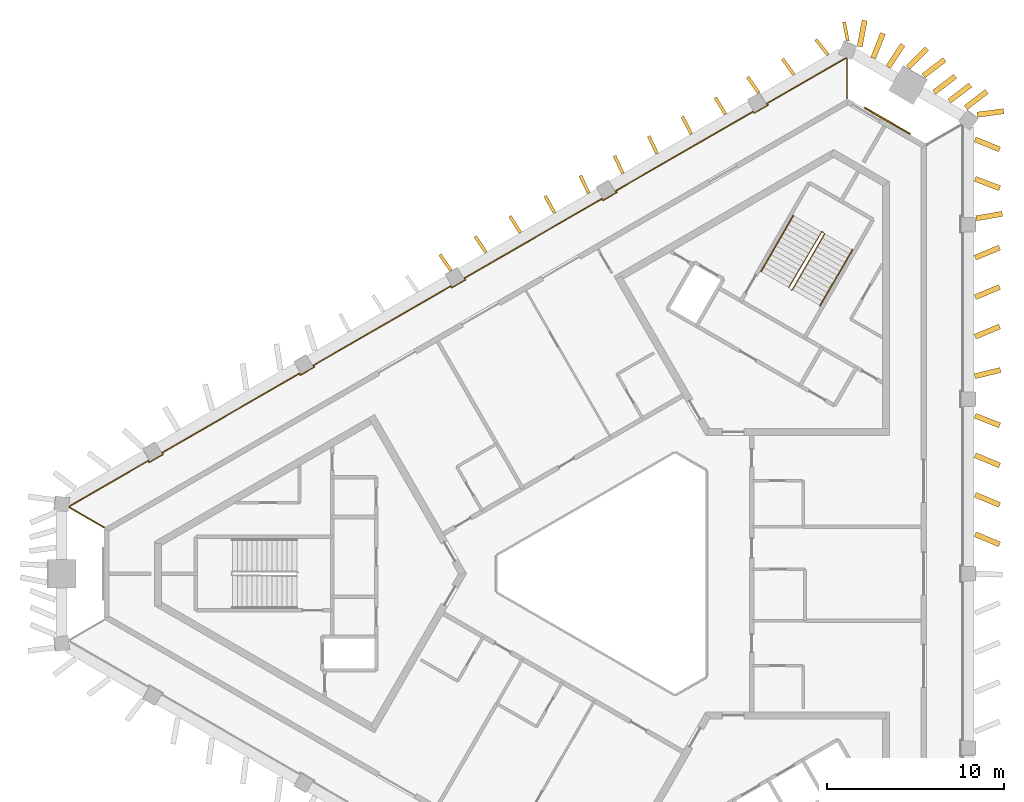
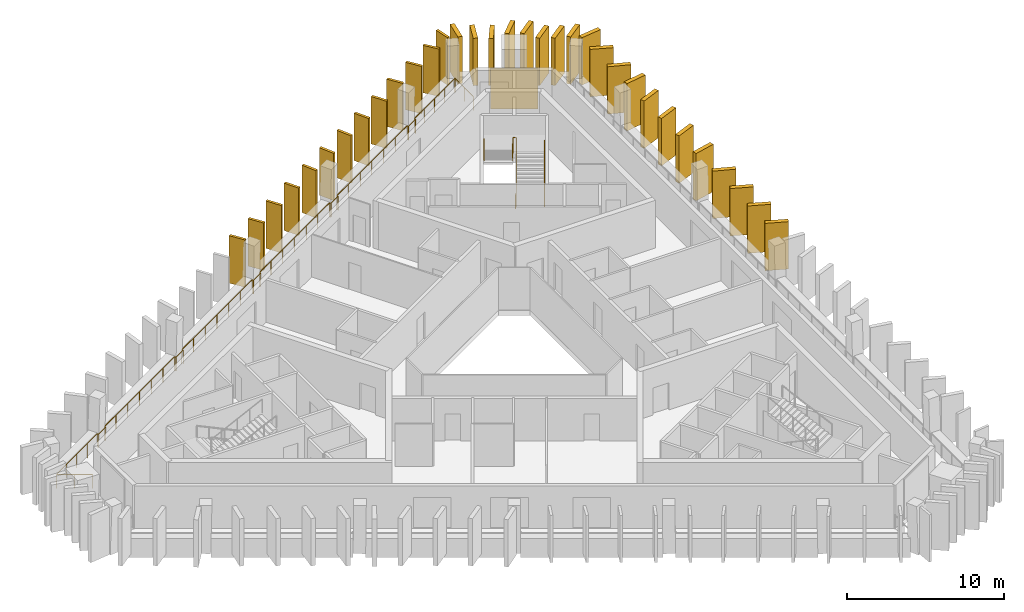
# One storey, part 9 of 9: 33 shading devices, 4 railings, 1 covering.
"""IFC4 building model written with IfcOpenShell, lengths in metres."""

from ifc_helpers import new_model, si_unit, direction, frame, frame_2d, origin, origin_2d, place, context, subcontext, project, spatial, rectangle, circle, extrude, material, layer, layer_set, type_object, element, save


model = new_model("IFC4")

# Units and contexts
model_context = context("Model", 3, precision=1e-05, world=origin(), true_north=direction((0.0, 1.0)))
body_context = subcontext(model_context, "Body", "Model", "MODEL_VIEW")
ifc_project = project(units=[si_unit("LENGTHUNIT", "METRE"), si_unit("AREAUNIT", "SQUARE_METRE"), si_unit("VOLUMEUNIT", "CUBIC_METRE"), si_unit("PLANEANGLEUNIT", "RADIAN"), si_unit("MASSUNIT", "GRAM", prefix="KILO")], contexts=[model_context])

# Site, building, storey
site_placement = place(None, origin())
site = spatial("IfcSite", under=ifc_project, at=site_placement, CompositionType="ELEMENT")
building_placement = place(site_placement, origin())
building = spatial("IfcBuilding", under=site, at=building_placement, Name="Jabali Bay Hotel Tower and Convention Centre", CompositionType="ELEMENT")
storey_placement = place(building_placement, frame((0.0, 0.0, 262.699951171875)))
storey = spatial("IfcBuildingStorey", under=building, at=storey_placement, Name="L64", CompositionType="ELEMENT", Elevation=262.699951171875)

# Railing
ifc_material_1 = material(Name="Glass", Category="glass")
railing_type_1 = type_object("IfcRailingType", Name="Loggia glass guard 1100", PredefinedType="BALUSTRADE", material=ifc_material_1)
railing_1_placement = place(storey_placement, frame((45.5263671875, 82.61572265625, 0.0)))
element("IfcRailing", 1, at=railing_1_placement, inside=storey, type_object=railing_type_1, Name="Loggia glass guard L64", PredefinedType="BALUSTRADE", context=body_context, shape_type="SweptSolid", body=[
    extrude(circle(Radius=0.02490234375, at=origin_2d()), frame((0.0, 0.0, 1.0751953125), z_axis=(-0.866035472144, 0.499982560684, 0.0), x_axis=(-0.495705140567, -0.858626418625, 0.13052619222)), (0.0, 0.0, 1.0), 2.27490234375),
    extrude(circle(Radius=0.02490234375, at=origin_2d()), frame((-1.97021484375, 1.137451171875, 1.0751953125), z_axis=(0.124034734589, 0.992277876714, 0.0), x_axis=(-0.983788801923, 0.12297360024, 0.13052619222)), (0.0, 0.0, 1.0), 0.037353515625),
    extrude(circle(Radius=0.02490234375, at=origin_2d()), frame((-1.965576171875, 1.174560546875, 1.0751953125), z_axis=(0.866041551011, 0.499972031141, 0.0), x_axis=(-0.495694701105, 0.858632445486, 0.13052619222)), (0.0, 0.0, 1.0), 5.165283203125),
    extrude(circle(Radius=0.02490234375, at=origin_2d()), frame((2.5078125, 3.757080078125, 1.0751953125), z_axis=(0.499298623879, -0.866429964967, 0.0), x_axis=(0.859017536507, 0.495027054936, 0.13052619222)), (0.0, 0.0, 1.0), 0.099853515625),
    extrude(circle(Radius=0.02490234375, at=origin_2d()), frame((2.5576171875, 3.670654296875, 1.0751953125), z_axis=(0.866081705922, 0.499902469156, 0.0), x_axis=(-0.495625734232, 0.858672256866, 0.13052619222)), (0.0, 0.0, 1.0), 0.900146484375),
    extrude(circle(Radius=0.02490234375, at=origin_2d()), frame((3.337158203125, 4.12060546875, 1.0751953125), z_axis=(-0.501132629342, 0.865370491644, 0.0), x_axis=(-0.857967127125, -0.496845370228, 0.13052619222)), (0.0, 0.0, 1.0), 0.099853515625),
    extrude(circle(Radius=0.02490234375, at=origin_2d()), frame((3.287109375, 4.20703125, 1.0751953125), z_axis=(0.866025838688, 0.499999246724, 0.0), x_axis=(-0.495721683856, 0.858616867584, 0.13052619222)), (0.0, 0.0, 1.0), 8.95849609375),
    extrude(circle(Radius=0.02490234375, at=origin_2d()), frame((11.04541015625, 8.686279296875, 1.0751953125), z_axis=(0.4982416694, -0.867038199201, 0.0), x_axis=(0.859620567213, 0.493979142849, 0.13052619222)), (0.0, 0.0, 1.0), 0.099853515625),
    extrude(circle(Radius=0.02490234375, at=origin_2d()), frame((11.09521484375, 8.599609375, 1.0751953125), z_axis=(0.865964261186, 0.500105887137, 0.0), x_axis=(-0.495827411944, 0.858555816886, 0.13052619222)), (0.0, 0.0, 1.0), 0.900146484375),
    extrude(circle(Radius=0.02490234375, at=origin_2d()), frame((11.874755859375, 9.0498046875, 1.0751953125), z_axis=(-0.501132629342, 0.865370491644, 0.0), x_axis=(-0.857967127125, -0.496845370228, 0.13052619222)), (0.0, 0.0, 1.0), 0.099853515625),
    extrude(circle(Radius=0.02490234375, at=origin_2d()), frame((11.82470703125, 9.13623046875, 1.0751953125), z_axis=(0.866025838688, 0.499999246724, 0.0), x_axis=(-0.495721683856, 0.858616867584, 0.13052619222)), (0.0, 0.0, 1.0), 8.95849609375),
    extrude(circle(Radius=0.02490234375, at=origin_2d()), frame((19.5830078125, 13.615478515625, 1.0751953125), z_axis=(0.4982416694, -0.867038199201, 0.0), x_axis=(0.859620567213, 0.493979142849, 0.13052619222)), (0.0, 0.0, 1.0), 0.099853515625),
    extrude(circle(Radius=0.02490234375, at=origin_2d()), frame((19.6328125, 13.52880859375, 1.0751953125), z_axis=(0.865964261186, 0.500105887137, 0.0), x_axis=(-0.495827411944, 0.858555816886, 0.13052619222)), (0.0, 0.0, 1.0), 0.900146484375),
    extrude(circle(Radius=0.02490234375, at=origin_2d()), frame((20.412353515625, 13.97900390625, 1.0751953125), z_axis=(-0.501132629342, 0.865370491644, 0.0), x_axis=(-0.857967127125, -0.496845370228, 0.13052619222)), (0.0, 0.0, 1.0), 0.099853515625),
    extrude(circle(Radius=0.02490234375, at=origin_2d()), frame((20.3623046875, 14.0654296875, 1.0751953125), z_axis=(0.866025838688, 0.499999246724, 0.0), x_axis=(-0.495721683856, 0.858616867584, 0.13052619222)), (0.0, 0.0, 1.0), 8.95849609375),
    extrude(circle(Radius=0.02490234375, at=origin_2d()), frame((28.12060546875, 18.544677734375, 1.0751953125), z_axis=(0.4982416694, -0.867038199201, 0.0), x_axis=(0.859620567213, 0.493979142849, 0.13052619222)), (0.0, 0.0, 1.0), 0.099853515625),
    extrude(circle(Radius=0.02490234375, at=origin_2d()), frame((28.17041015625, 18.4580078125, 1.0751953125), z_axis=(0.865964261186, 0.500105887137, 0.0), x_axis=(-0.495827411944, 0.858555816886, 0.13052619222)), (0.0, 0.0, 1.0), 0.900146484375),
    extrude(circle(Radius=0.02490234375, at=origin_2d()), frame((28.949951171875, 18.908203125, 1.0751953125), z_axis=(-0.501132629342, 0.865370491644, 0.0), x_axis=(-0.857967127125, -0.496845370228, 0.13052619222)), (0.0, 0.0, 1.0), 0.099853515625),
    extrude(circle(Radius=0.02490234375, at=origin_2d()), frame((28.89990234375, 18.99462890625, 1.0751953125), z_axis=(0.866025838688, 0.499999246724, 0.0), x_axis=(-0.495721683856, 0.858616867584, 0.13052619222)), (0.0, 0.0, 1.0), 8.95849609375),
    extrude(circle(Radius=0.02490234375, at=origin_2d()), frame((36.658203125, 23.473876953125, 1.0751953125), z_axis=(0.4982416694, -0.867038199201, 0.0), x_axis=(0.859620567213, 0.493979142849, 0.13052619222)), (0.0, 0.0, 1.0), 0.099853515625),
    extrude(circle(Radius=0.02490234375, at=origin_2d()), frame((36.7080078125, 23.38720703125, 1.0751953125), z_axis=(0.865964261186, 0.500105887137, 0.0), x_axis=(-0.495827411944, 0.858555816886, 0.13052619222)), (0.0, 0.0, 1.0), 0.900146484375),
    extrude(circle(Radius=0.02490234375, at=origin_2d()), frame((37.487548828125, 23.83740234375, 1.0751953125), z_axis=(-0.501132629342, 0.865370491644, 0.0), x_axis=(-0.857967127125, -0.496845370228, 0.13052619222)), (0.0, 0.0, 1.0), 0.099853515625),
    extrude(circle(Radius=0.02490234375, at=origin_2d()), frame((37.4375, 23.923828125, 1.0751953125), z_axis=(0.866009267952, 0.50002794704, 0.0), x_axis=(-0.495750138636, 0.858600438613, 0.13052619222)), (0.0, 0.0, 1.0), 5.165283203125),
    extrude(circle(Radius=0.02490234375, at=origin_2d()), frame((41.91064453125, 26.506591796875, 1.0751953125), z_axis=(0.921146216294, -0.38921671111, 0.0), x_axis=(0.385886908191, 0.913265682719, 0.13052619222)), (0.0, 0.0, 1.0), 0.03759765625),
    extrude(circle(Radius=0.02490234375, at=origin_2d()), frame((41.9453125, 26.491943359375, 1.0751953125), z_axis=(0.0, -1.0, 0.0), x_axis=(0.991444861374, 0.0, 0.13052619222)), (0.0, 0.0, 1.0), 2.27490234375),
    extrude(circle(Radius=0.02001953125, at=origin_2d()), origin(), (0.0, 0.0, 1.0), 1.050048828125),
    extrude(circle(Radius=0.02001953125, at=origin_2d()), frame((-0.985107421875, 0.56884765625, 0.0)), (0.0, 0.0, 1.0), 1.050048828125),
    extrude(circle(Radius=0.02001953125, at=origin_2d()), frame((-1.97021484375, 1.137451171875, 0.0)), (0.0, 0.0, 1.0), 1.050048828125),
    extrude(circle(Radius=0.02001953125, at=origin_2d()), frame((-1.965576171875, 1.174560546875, 0.0)), (0.0, 0.0, 1.0), 1.050048828125),
    extrude(circle(Radius=0.02001953125, at=origin_2d()), frame((-0.84716796875, 1.8203125, 0.0)), (0.0, 0.0, 1.0), 1.050048828125),
    extrude(circle(Radius=0.02001953125, at=origin_2d()), frame((0.27099609375, 2.4658203125, 0.0)), (0.0, 0.0, 1.0), 1.050048828125),
    extrude(circle(Radius=0.02001953125, at=origin_2d()), frame((1.389404296875, 3.111328125, 0.0)), (0.0, 0.0, 1.0), 1.050048828125),
    extrude(circle(Radius=0.02001953125, at=origin_2d()), frame((2.5078125, 3.757080078125, 0.0)), (0.0, 0.0, 1.0), 1.050048828125),
    extrude(circle(Radius=0.02001953125, at=origin_2d()), frame((2.5576171875, 3.670654296875, 0.0)), (0.0, 0.0, 1.0), 1.050048828125),
    extrude(circle(Radius=0.02001953125, at=origin_2d()), frame((3.337158203125, 4.12060546875, 0.0)), (0.0, 0.0, 1.0), 1.050048828125),
    extrude(circle(Radius=0.02001953125, at=origin_2d()), frame((3.287109375, 4.20703125, 0.0)), (0.0, 0.0, 1.0), 1.050048828125),
    extrude(circle(Radius=0.02001953125, at=origin_2d()), frame((4.580078125, 4.95361328125, 0.0)), (0.0, 0.0, 1.0), 1.050048828125),
    extrude(circle(Radius=0.02001953125, at=origin_2d()), frame((5.873291015625, 5.7001953125, 0.0)), (0.0, 0.0, 1.0), 1.050048828125),
    extrude(circle(Radius=0.02001953125, at=origin_2d()), frame((7.166259765625, 6.44677734375, 0.0)), (0.0, 0.0, 1.0), 1.050048828125),
    extrude(circle(Radius=0.02001953125, at=origin_2d()), frame((8.459228515625, 7.193115234375, 0.0)), (0.0, 0.0, 1.0), 1.050048828125),
    extrude(circle(Radius=0.02001953125, at=origin_2d()), frame((9.75244140625, 7.939697265625, 0.0)), (0.0, 0.0, 1.0), 1.050048828125),
    extrude(circle(Radius=0.02001953125, at=origin_2d()), frame((11.04541015625, 8.686279296875, 0.0)), (0.0, 0.0, 1.0), 1.050048828125),
    extrude(circle(Radius=0.02001953125, at=origin_2d()), frame((11.09521484375, 8.599609375, 0.0)), (0.0, 0.0, 1.0), 1.050048828125),
    extrude(circle(Radius=0.02001953125, at=origin_2d()), frame((11.874755859375, 9.0498046875, 0.0)), (0.0, 0.0, 1.0), 1.050048828125),
    extrude(circle(Radius=0.02001953125, at=origin_2d()), frame((11.82470703125, 9.13623046875, 0.0)), (0.0, 0.0, 1.0), 1.050048828125),
    extrude(circle(Radius=0.02001953125, at=origin_2d()), frame((13.11767578125, 9.8828125, 0.0)), (0.0, 0.0, 1.0), 1.050048828125),
    extrude(circle(Radius=0.02001953125, at=origin_2d()), frame((14.410888671875, 10.62939453125, 0.0)), (0.0, 0.0, 1.0), 1.050048828125),
    extrude(circle(Radius=0.02001953125, at=origin_2d()), frame((15.703857421875, 11.3759765625, 0.0)), (0.0, 0.0, 1.0), 1.050048828125),
    extrude(circle(Radius=0.02001953125, at=origin_2d()), frame((16.996826171875, 12.122314453125, 0.0)), (0.0, 0.0, 1.0), 1.050048828125),
    extrude(circle(Radius=0.02001953125, at=origin_2d()), frame((18.2900390625, 12.868896484375, 0.0)), (0.0, 0.0, 1.0), 1.050048828125),
    extrude(circle(Radius=0.02001953125, at=origin_2d()), frame((19.5830078125, 13.615478515625, 0.0)), (0.0, 0.0, 1.0), 1.050048828125),
    extrude(circle(Radius=0.02001953125, at=origin_2d()), frame((19.6328125, 13.52880859375, 0.0)), (0.0, 0.0, 1.0), 1.050048828125),
    extrude(circle(Radius=0.02001953125, at=origin_2d()), frame((20.412353515625, 13.97900390625, 0.0)), (0.0, 0.0, 1.0), 1.050048828125),
    extrude(circle(Radius=0.02001953125, at=origin_2d()), frame((20.3623046875, 14.0654296875, 0.0)), (0.0, 0.0, 1.0), 1.050048828125),
    extrude(circle(Radius=0.02001953125, at=origin_2d()), frame((21.6552734375, 14.81201171875, 0.0)), (0.0, 0.0, 1.0), 1.050048828125),
    extrude(circle(Radius=0.02001953125, at=origin_2d()), frame((22.948486328125, 15.55859375, 0.0)), (0.0, 0.0, 1.0), 1.050048828125),
    extrude(circle(Radius=0.02001953125, at=origin_2d()), frame((24.241455078125, 16.30517578125, 0.0)), (0.0, 0.0, 1.0), 1.050048828125),
    extrude(circle(Radius=0.02001953125, at=origin_2d()), frame((25.534423828125, 17.051513671875, 0.0)), (0.0, 0.0, 1.0), 1.050048828125),
    extrude(circle(Radius=0.02001953125, at=origin_2d()), frame((26.82763671875, 17.798095703125, 0.0)), (0.0, 0.0, 1.0), 1.050048828125),
    extrude(circle(Radius=0.02001953125, at=origin_2d()), frame((28.12060546875, 18.544677734375, 0.0)), (0.0, 0.0, 1.0), 1.050048828125),
    extrude(circle(Radius=0.02001953125, at=origin_2d()), frame((28.17041015625, 18.4580078125, 0.0)), (0.0, 0.0, 1.0), 1.050048828125),
    extrude(circle(Radius=0.02001953125, at=origin_2d()), frame((28.949951171875, 18.908203125, 0.0)), (0.0, 0.0, 1.0), 1.050048828125),
    extrude(circle(Radius=0.02001953125, at=origin_2d()), frame((28.89990234375, 18.99462890625, 0.0)), (0.0, 0.0, 1.0), 1.050048828125),
    extrude(circle(Radius=0.02001953125, at=origin_2d()), frame((30.19287109375, 19.7412109375, 0.0)), (0.0, 0.0, 1.0), 1.050048828125),
    extrude(circle(Radius=0.02001953125, at=origin_2d()), frame((31.486083984375, 20.48779296875, 0.0)), (0.0, 0.0, 1.0), 1.050048828125),
    extrude(circle(Radius=0.02001953125, at=origin_2d()), frame((32.779052734375, 21.234375, 0.0)), (0.0, 0.0, 1.0), 1.050048828125),
    extrude(circle(Radius=0.02001953125, at=origin_2d()), frame((34.072021484375, 21.980712890625, 0.0)), (0.0, 0.0, 1.0), 1.050048828125),
    extrude(circle(Radius=0.02001953125, at=origin_2d()), frame((35.365234375, 22.727294921875, 0.0)), (0.0, 0.0, 1.0), 1.050048828125),
    extrude(circle(Radius=0.02001953125, at=origin_2d()), frame((36.658203125, 23.473876953125, 0.0)), (0.0, 0.0, 1.0), 1.050048828125),
    extrude(circle(Radius=0.02001953125, at=origin_2d()), frame((36.7080078125, 23.38720703125, 0.0)), (0.0, 0.0, 1.0), 1.050048828125),
    extrude(circle(Radius=0.02001953125, at=origin_2d()), frame((37.487548828125, 23.83740234375, 0.0)), (0.0, 0.0, 1.0), 1.050048828125),
    extrude(circle(Radius=0.02001953125, at=origin_2d()), frame((37.4375, 23.923828125, 0.0)), (0.0, 0.0, 1.0), 1.050048828125),
    extrude(circle(Radius=0.02001953125, at=origin_2d()), frame((38.5556640625, 24.569580078125, 0.0)), (0.0, 0.0, 1.0), 1.050048828125),
    extrude(circle(Radius=0.02001953125, at=origin_2d()), frame((39.674072265625, 25.21533203125, 0.0)), (0.0, 0.0, 1.0), 1.050048828125),
    extrude(circle(Radius=0.02001953125, at=origin_2d()), frame((40.79248046875, 25.86083984375, 0.0)), (0.0, 0.0, 1.0), 1.050048828125),
    extrude(circle(Radius=0.02001953125, at=origin_2d()), frame((41.91064453125, 26.506591796875, 0.0)), (0.0, 0.0, 1.0), 1.050048828125),
    extrude(circle(Radius=0.02001953125, at=origin_2d()), frame((41.9453125, 26.491943359375, 0.0)), (0.0, 0.0, 1.0), 1.050048828125),
    extrude(circle(Radius=0.02001953125, at=origin_2d()), frame((41.9453125, 25.3544921875, 0.0)), (0.0, 0.0, 1.0), 1.050048828125),
    extrude(circle(Radius=0.02001953125, at=origin_2d()), frame((41.9453125, 24.217041015625, 0.0)), (0.0, 0.0, 1.0), 1.050048828125),
])

# Shading devices
ifc_material_2 = material(Name="Precast concrete C60", Category="concrete")
ifc_layer_1 = layer(ifc_material_2, 0.179931640625)
ifc_layer_set_1 = layer_set([ifc_layer_1], Name="Precast concrete C60")
shading_device_type_1 = type_object("IfcShadingDeviceType", Name="Precast fin 3680 x 1100", PredefinedType="USERDEFINED", material=ifc_layer_set_1)
shading_device_1_placement = place(storey_placement, frame((86.403564453125, 109.28271484375, 0.010009765625), z_axis=(0.0, 0.0, 1.0), x_axis=(-0.622174367061, 0.78287869876, 0.0)))
element("IfcShadingDevice", 2, at=shading_device_1_placement, inside=storey, type_object=shading_device_type_1, Name="Fin L64 031", ObjectType="FIN", PredefinedType="USERDEFINED", context=body_context, shape_type="SweptSolid", body=[
    extrude(rectangle(XDim=1.099853515625, YDim=0.179931640625, at=frame_2d((0.5498046875, 0.0))), origin(), (0.0, 0.0, 1.0), 3.679931640625),
])
for number, where, z_axis, x_axis, name in (
    (3, (84.4755859375, 108.16455078125, 0.010009765625), (0.0, 0.0, 1.0), (-0.584550243006, 0.811357512692, 0.0), "Fin L64 032"),
    (4, (82.4921875, 107.14208984375, 0.010009765625), (0.0, 0.0, 1.0), (-0.572598108682, 0.819836206772, 0.0), "Fin L64 033"),
):
    element("IfcShadingDevice", number, at=place(storey_placement, frame(where, z_axis=z_axis, x_axis=x_axis)), inside=storey, type_object=shading_device_type_1, Name=name, ObjectType="FIN", PredefinedType="USERDEFINED", context=body_context, shape_type="SweptSolid", body=[
        extrude(rectangle(XDim=1.10009765625, YDim=0.179931640625, at=frame_2d((0.550048828125, 0.0))), origin(), (0.0, 0.0, 1.0), 3.679931640625),
    ])
for number, where, z_axis, x_axis, name in (
    (5, (80.618408203125, 105.93017578125, 0.010009765625), (0.0, 0.0, 1.0), (-0.524060272161, 0.851681179281, 0.0), "Fin L64 034"),
    (6, (78.687255859375, 104.817138671875, 0.010009765625), (0.0, 0.0, 1.0), (-0.458806879758, 0.888536013388, 0.0), "Fin L64 035"),
):
    element("IfcShadingDevice", number, at=place(storey_placement, frame(where, z_axis=z_axis, x_axis=x_axis)), inside=storey, type_object=shading_device_type_1, Name=name, ObjectType="FIN", PredefinedType="USERDEFINED", context=body_context, shape_type="SweptSolid", body=[
        extrude(rectangle(XDim=1.099853515625, YDim=0.179931640625, at=frame_2d((0.5498046875, 0.0))), origin(), (0.0, 0.0, 1.0), 3.679931640625),
    ])
for number, where, z_axis, x_axis, name in (
    (7, (76.755615234375, 103.705322265625, 0.010009765625), (0.0, 0.0, 1.0), (-0.429640670175, 0.902999941601, 0.0), "Fin L64 036"),
    (8, (74.825439453125, 102.5908203125, 0.010009765625), (0.0, 0.0, 1.0), (-0.429640670175, 0.902999941601, 0.0), "Fin L64 037"),
):
    element("IfcShadingDevice", number, at=place(storey_placement, frame(where, z_axis=z_axis, x_axis=x_axis)), inside=storey, type_object=shading_device_type_1, Name=name, ObjectType="FIN", PredefinedType="USERDEFINED", context=body_context, shape_type="SweptSolid", body=[
        extrude(rectangle(XDim=1.10009765625, YDim=0.179931640625, at=frame_2d((0.550048828125, 0.0))), origin(), (0.0, 0.0, 1.0), 3.679931640625),
    ])
shading_device_2_placement = place(storey_placement, frame((72.895263671875, 101.476318359375, 0.010009765625), z_axis=(0.0, 0.0, 1.0), x_axis=(-0.432593963076, 0.901588854806, 0.0)))
element("IfcShadingDevice", 9, at=shading_device_2_placement, inside=storey, type_object=shading_device_type_1, Name="Fin L64 038", ObjectType="FIN", PredefinedType="USERDEFINED", context=body_context, shape_type="SweptSolid", body=[
    extrude(rectangle(XDim=1.099853515625, YDim=0.179931640625, at=frame_2d((0.5498046875, 0.0))), origin(), (0.0, 0.0, 1.0), 3.679931640625),
])
for number, where, z_axis, x_axis, name in (
    (10, (70.967529296875, 100.357666015625, 0.010009765625), (0.0, 0.0, 1.0), (-0.480282100751, 0.877114076787, 0.0), "Fin L64 039"),
    (11, (69.03662109375, 99.244140625, 0.010009765625), (0.0, 0.0, 1.0), (-0.529559967208, 0.848272504052, 0.0), "Fin L64 040"),
):
    element("IfcShadingDevice", number, at=place(storey_placement, frame(where, z_axis=z_axis, x_axis=x_axis)), inside=storey, type_object=shading_device_type_1, Name=name, ObjectType="FIN", PredefinedType="USERDEFINED", context=body_context, shape_type="SweptSolid", body=[
        extrude(rectangle(XDim=1.10009765625, YDim=0.179931640625, at=frame_2d((0.550048828125, 0.0))), origin(), (0.0, 0.0, 1.0), 3.679931640625),
    ])
for number, where, z_axis, x_axis, name in (
    (12, (67.1044921875, 98.133056640625, 0.010009765625), (0.0, 0.0, 1.0), (-0.564699830547, 0.825296371845, 0.0), "Fin L64 041"),
    (13, (65.120361328125, 97.112060546875, 0.010009765625), (0.0, 0.0, 1.0), (-0.569971472115, 0.821664481997, 0.0), "Fin L64 042"),
    (14, (87.521484375, 110.06396484375, 0.010009765625), (0.0, 0.0, 1.0), (-0.192016254207, 0.981391745492, 0.0), "Fin L64 095"),
):
    element("IfcShadingDevice", number, at=place(storey_placement, frame(where, z_axis=z_axis, x_axis=x_axis)), inside=storey, type_object=shading_device_type_1, Name=name, ObjectType="FIN", PredefinedType="USERDEFINED", context=body_context, shape_type="SweptSolid", body=[
        extrude(rectangle(XDim=1.099853515625, YDim=0.179931640625, at=frame_2d((0.5498046875, 0.0))), origin(), (0.0, 0.0, 1.0), 3.679931640625),
    ])
ifc_layer_2 = layer(ifc_material_2, 0.300048828125)
ifc_layer_set_2 = layer_set([ifc_layer_2], Name="Precast concrete C60")
shading_device_type_2 = type_object("IfcShadingDeviceType", Name="Precast fin 3680 x 1500", PredefinedType="USERDEFINED", material=ifc_layer_set_2)
shading_device_3_placement = place(storey_placement, frame((94.7021484375, 82.228759765625, 0.010009765625), z_axis=(0.0, 0.0, 1.0), x_axis=(0.923153948977, -0.38443047029, 0.0)))
element("IfcShadingDevice", 15, at=shading_device_3_placement, inside=storey, type_object=shading_device_type_2, Name="Fin L64 012", ObjectType="FIN", PredefinedType="USERDEFINED", context=body_context, shape_type="SweptSolid", body=[
    extrude(rectangle(XDim=1.5, YDim=0.300048828125, at=frame_2d((0.75, 0.0))), origin(), (0.0, 0.0, 1.0), 3.679931640625),
])
shading_device_4_placement = place(storey_placement, frame((94.7021484375, 84.457763671875, 0.010009765625), z_axis=(0.0, 0.0, 1.0), x_axis=(0.923096181819, -0.384569160374, 0.0)))
element("IfcShadingDevice", 16, at=shading_device_4_placement, inside=storey, type_object=shading_device_type_2, Name="Fin L64 013", ObjectType="FIN", PredefinedType="USERDEFINED", context=body_context, shape_type="SweptSolid", body=[
    extrude(rectangle(XDim=1.500244140625, YDim=0.300048828125, at=frame_2d((0.75, 0.0))), origin(), (0.0, 0.0, 1.0), 3.679931640625),
])
for number, where, z_axis, x_axis, name in (
    (17, (94.7021484375, 86.6865234375, 0.010009765625), (0.0, 0.0, 1.0), (0.923153948977, -0.38443047029, 0.0), "Fin L64 014"),
    (18, (94.69873046875, 88.915283203125, 0.010009765625), (0.0, 0.0, 1.0), (0.932254906917, -0.361802140027, 0.0), "Fin L64 015"),
    (19, (94.6796875, 91.14404296875, 0.010009765625), (0.0, 0.0, 1.0), (0.972064282715, 0.234714784942, 0.0), "Fin L64 016"),
    (20, (94.7021484375, 93.373046875, 0.010009765625), (0.0, 0.0, 1.0), (0.923153948977, 0.38443047029, 0.0), "Fin L64 017"),
    (21, (94.7021484375, 95.601806640625, 0.010009765625), (0.0, 0.0, 1.0), (0.923153948977, 0.38443047029, 0.0), "Fin L64 018"),
    (22, (94.7021484375, 97.83056640625, 0.010009765625), (0.0, 0.0, 1.0), (0.923153948977, 0.38443047029, 0.0), "Fin L64 019"),
    (23, (94.761474609375, 100.0595703125, 0.010009765625), (0.0, 0.0, 1.0), (0.985766701431, 0.168119036252, 0.0), "Fin L64 020"),
    (24, (94.697998046875, 102.288330078125, 0.010009765625), (0.0, 0.0, 1.0), (0.934069399325, -0.357091525025, 0.0), "Fin L64 021"),
):
    element("IfcShadingDevice", number, at=place(storey_placement, frame(where, z_axis=z_axis, x_axis=x_axis)), inside=storey, type_object=shading_device_type_2, Name=name, ObjectType="FIN", PredefinedType="USERDEFINED", context=body_context, shape_type="SweptSolid", body=[
        extrude(rectangle(XDim=1.5, YDim=0.300048828125, at=frame_2d((0.75, 0.0))), origin(), (0.0, 0.0, 1.0), 3.679931640625),
    ])
shading_device_5_placement = place(storey_placement, frame((94.701904296875, 104.51708984375, 0.010009765625), z_axis=(0.0, 0.0, 1.0), x_axis=(0.923572091505, -0.383424818958, 0.0)))
element("IfcShadingDevice", 25, at=shading_device_5_placement, inside=storey, type_object=shading_device_type_2, Name="Fin L64 022", ObjectType="FIN", PredefinedType="USERDEFINED", context=body_context, shape_type="SweptSolid", body=[
    extrude(rectangle(XDim=1.500244140625, YDim=0.300048828125, at=frame_2d((0.75, 0.0))), origin(), (0.0, 0.0, 1.0), 3.679931640625),
])
for number, where, z_axis, x_axis, name in (
    (26, (94.1689453125, 106.30029296875, 0.010009765625), (0.0, 0.0, 1.0), (0.794537958448, 0.607214486475, 0.0), "Fin L64 023"),
    (27, (93.24365234375, 106.669189453125, 0.010009765625), (0.0, 0.0, 1.0), (0.794477939917, 0.607293012462, 0.0), "Fin L64 024"),
    (28, (92.3896484375, 107.162109375, 0.010009765625), (0.0, 0.0, 1.0), (0.794537958448, 0.607214486475, 0.0), "Fin L64 025"),
    (29, (91.792236328125, 108.09912109375, 0.010009765625), (0.0, 0.0, 1.0), (0.794537958448, 0.607214486475, 0.0), "Fin L64 026"),
    (30, (90.92919921875, 108.576171875, 0.010009765625), (0.0, 0.0, 1.0), (0.708488877281, 0.70572197838, 0.0), "Fin L64 027"),
    (31, (89.8037109375, 108.598388671875, 0.010009765625), (0.0, 0.0, 1.0), (0.547052006168, 0.837098621757, 0.0), "Fin L64 028"),
):
    element("IfcShadingDevice", number, at=place(storey_placement, frame(where, z_axis=z_axis, x_axis=x_axis)), inside=storey, type_object=shading_device_type_2, Name=name, ObjectType="FIN", PredefinedType="USERDEFINED", context=body_context, shape_type="SweptSolid", body=[
        extrude(rectangle(XDim=1.5, YDim=0.300048828125, at=frame_2d((0.75, 0.0))), origin(), (0.0, 0.0, 1.0), 3.679931640625),
    ])
shading_device_6_placement = place(storey_placement, frame((88.95703125, 109.103515625, 0.010009765625), z_axis=(0.0, 0.0, 1.0), x_axis=(0.364055696302, 0.93137717923, 0.0)))
element("IfcShadingDevice", 32, at=shading_device_6_placement, inside=storey, type_object=shading_device_type_2, Name="Fin L64 029", ObjectType="FIN", PredefinedType="USERDEFINED", context=body_context, shape_type="SweptSolid", body=[
    extrude(rectangle(XDim=1.500244140625, YDim=0.300048828125, at=frame_2d((0.75, 0.0))), origin(), (0.0, 0.0, 1.0), 3.679931640625),
])
for number, where, z_axis, x_axis, name in (
    (33, (88.191162109375, 109.7490234375, 0.010009765625), (0.0, 0.0, 1.0), (0.184740577948, 0.982787321275, 0.0), "Fin L64 030"),
    (34, (94.828369140625, 105.90673828125, 0.010009765625), (0.0, 0.0, 1.0), (0.991400473553, 0.130862909331, 0.0), "Fin L64 094"),
):
    element("IfcShadingDevice", number, at=place(storey_placement, frame(where, z_axis=z_axis, x_axis=x_axis)), inside=storey, type_object=shading_device_type_2, Name=name, ObjectType="FIN", PredefinedType="USERDEFINED", context=body_context, shape_type="SweptSolid", body=[
        extrude(rectangle(XDim=1.5, YDim=0.300048828125, at=frame_2d((0.75, 0.0))), origin(), (0.0, 0.0, 1.0), 3.679931640625),
    ])

# Covering
ifc_material_3 = material(Name="Precast concrete C40/50", Category="concrete")
ifc_layer_3 = layer(ifc_material_3, 0.080078125)
ifc_layer_set_3 = layer_set([ifc_layer_3], Name="Precast concrete C40/50")
covering_type = type_object("IfcCoveringType", Name="Relief panel 3000 x 3100", PredefinedType="CLADDING", material=ifc_layer_set_3)
covering_placement = place(storey_placement, frame((89.7568359375, 105.5595703125, 0.10009765625), z_axis=(0.0, 0.0, 1.0), x_axis=(0.866025400756, -0.500000005245, 0.0)))
element("IfcCovering", 35, at=covering_placement, inside=storey, type_object=covering_type, Name="Relief panel L64", PredefinedType="CLADDING", context=body_context, shape_type="SweptSolid", body=[
    extrude(rectangle(XDim=3.0, YDim=0.080078125, at=origin_2d()), origin(), (0.0, 0.0, 1.0), 3.10009765625),
])

# Railings
ifc_material_4 = material(Name="Steel Q355B", Category="steel")
railing_type_2 = type_object("IfcRailingType", Name="Stair guard 1100", PredefinedType="GUARDRAIL", material=ifc_material_4)
railing_2_placement = place(storey_placement, frame((84.329833984375, 96.010009765625, 0.0)))
element("IfcRailing", 36, at=railing_2_placement, inside=storey, type_object=railing_type_2, Name="L64 ST2 stair guard 1", PredefinedType="GUARDRAIL", context=body_context, shape_type="SweptSolid", body=[
    extrude(circle(Radius=0.02392578125, at=origin_2d()), frame((0.0, 0.0, 1.076171875), z_axis=(0.456201556387, 0.122196845461, 0.881446578591), x_axis=(-0.258736085224, 0.965948051503, 0.0)), (0.0, 0.0, 1.0), 0.14990234375),
    extrude(circle(Radius=0.02392578125, at=origin_2d()), frame((0.068359375, 0.018310546875, 1.2080078125), z_axis=(0.45217862506, 0.783169739339, 0.426825081763), x_axis=(-0.866018046521, 0.500012742938, 0.0)), (0.0, 0.0, 1.0), 4.025146484375),
    extrude(circle(Radius=0.02392578125, at=origin_2d()), frame((1.888427734375, 3.170654296875, 2.92626953125), z_axis=(-0.718850276695, 0.695164929852, 0.0), x_axis=(-0.695164929852, -0.718850276695, 0.0)), (0.0, 0.0, 1.0), 0.2060546875),
    extrude(circle(Radius=0.02392578125, at=origin_2d()), frame((1.740234375, 3.31396484375, 2.92626953125), z_axis=(-0.457457462341, -0.768067235091, 0.448113147015), x_axis=(0.859157857954, -0.511710636118, 0.0)), (0.0, 0.0, 1.0), 4.128173828125),
    extrude(circle(Radius=0.02099609375, at=origin_2d()), origin(), (0.0, 0.0, 1.0), 1.052001953125),
    extrude(circle(Radius=0.02099609375, at=origin_2d()), frame((0.068359375, 0.018310546875, 0.132080078125)), (0.0, 0.0, 1.0), 1.052001953125),
    extrude(circle(Radius=0.02099609375, at=origin_2d()), frame((0.5234375, 0.806396484375, 0.5615234375)), (0.0, 0.0, 1.0), 1.052001953125),
    extrude(circle(Radius=0.02099609375, at=origin_2d()), frame((0.978515625, 1.594482421875, 0.9912109375)), (0.0, 0.0, 1.0), 1.052001953125),
    extrude(circle(Radius=0.02099609375, at=origin_2d()), frame((1.433349609375, 2.382568359375, 1.420654296875)), (0.0, 0.0, 1.0), 1.052001953125),
    extrude(circle(Radius=0.02099609375, at=origin_2d()), frame((1.888427734375, 3.170654296875, 1.85009765625)), (0.0, 0.0, 1.0), 1.052001953125),
    extrude(circle(Radius=0.02099609375, at=origin_2d()), frame((1.740234375, 3.31396484375, 1.85009765625)), (0.0, 0.0, 1.0), 1.052001953125),
    extrude(circle(Radius=0.02099609375, at=origin_2d()), frame((1.26806640625, 2.521240234375, 2.3125)), (0.0, 0.0, 1.0), 1.052001953125),
    extrude(circle(Radius=0.02099609375, at=origin_2d()), frame((0.7958984375, 1.728515625, 2.77490234375)), (0.0, 0.0, 1.0), 1.052001953125),
    extrude(circle(Radius=0.02099609375, at=origin_2d()), frame((0.323974609375, 0.93603515625, 3.237548828125)), (0.0, 0.0, 1.0), 1.052001953125),
    extrude(circle(Radius=0.02099609375, at=origin_2d()), frame((-0.148193359375, 0.143310546875, 3.699951171875)), (0.0, 0.0, 1.0), 1.052001953125),
])
railing_type_3 = type_object("IfcRailingType", Name="Stair handrail 900", PredefinedType="HANDRAIL", material=ifc_material_4)
railing_3_placement = place(storey_placement, frame((85.95703125, 95.128173828125, 0.132080078125)))
element("IfcRailing", 37, at=railing_3_placement, inside=storey, type_object=railing_type_3, Name="L64 ST2 stair handrail 1", PredefinedType="HANDRAIL", context=body_context, shape_type="SweptSolid", body=[
    extrude(circle(Radius=0.02392578125, at=origin_2d()), frame((0.0, 0.0, 0.8759765625), z_axis=(0.45217862506, 0.783169739339, 0.426825081763), x_axis=(-0.866018046521, 0.500012742938, 0.0)), (0.0, 0.0, 1.0), 4.025146484375),
    extrude(circle(Radius=0.02099609375, at=origin_2d()), origin(), (0.0, 0.0, 1.0), 0.851806640625),
    extrude(circle(Radius=0.02099609375, at=origin_2d()), frame((0.455078125, 0.7880859375, 0.429443359375)), (0.0, 0.0, 1.0), 0.851806640625),
    extrude(circle(Radius=0.02099609375, at=origin_2d()), frame((0.91015625, 1.576171875, 0.85888671875)), (0.0, 0.0, 1.0), 0.851806640625),
    extrude(circle(Radius=0.02099609375, at=origin_2d()), frame((1.364990234375, 2.3642578125, 1.28857421875)), (0.0, 0.0, 1.0), 0.851806640625),
    extrude(circle(Radius=0.02099609375, at=origin_2d()), frame((1.820068359375, 3.15234375, 1.718017578125)), (0.0, 0.0, 1.0), 0.851806640625),
])
railing_4_placement = place(storey_placement, frame((84.44287109375, 100.20556640625, 1.982177734375)))
element("IfcRailing", 38, at=railing_4_placement, inside=storey, type_object=railing_type_3, Name="L64 ST2 stair handrail 2", PredefinedType="HANDRAIL", context=body_context, shape_type="SweptSolid", body=[
    extrude(circle(Radius=0.02392578125, at=origin_2d()), frame((0.0, 0.0, 0.8759765625), z_axis=(-0.452190331055, -0.783190014029, 0.426775475427), x_axis=(0.866018046521, -0.500012742938, 0.0)), (0.0, 0.0, 1.0), 4.02490234375),
    extrude(circle(Radius=0.02099609375, at=origin_2d()), origin(), (0.0, 0.0, 1.0), 0.851806640625),
    extrude(circle(Radius=0.02099609375, at=origin_2d()), frame((-0.455078125, -0.7880859375, 0.429443359375)), (0.0, 0.0, 1.0), 0.851806640625),
    extrude(circle(Radius=0.02099609375, at=origin_2d()), frame((-0.91015625, -1.576171875, 0.85888671875)), (0.0, 0.0, 1.0), 0.851806640625),
    extrude(circle(Radius=0.02099609375, at=origin_2d()), frame((-1.364990234375, -2.3642578125, 1.288330078125)), (0.0, 0.0, 1.0), 0.851806640625),
    extrude(circle(Radius=0.02099609375, at=origin_2d()), frame((-1.820068359375, -3.15234375, 1.7177734375)), (0.0, 0.0, 1.0), 0.851806640625),
])

save(model, "model.ifc")
